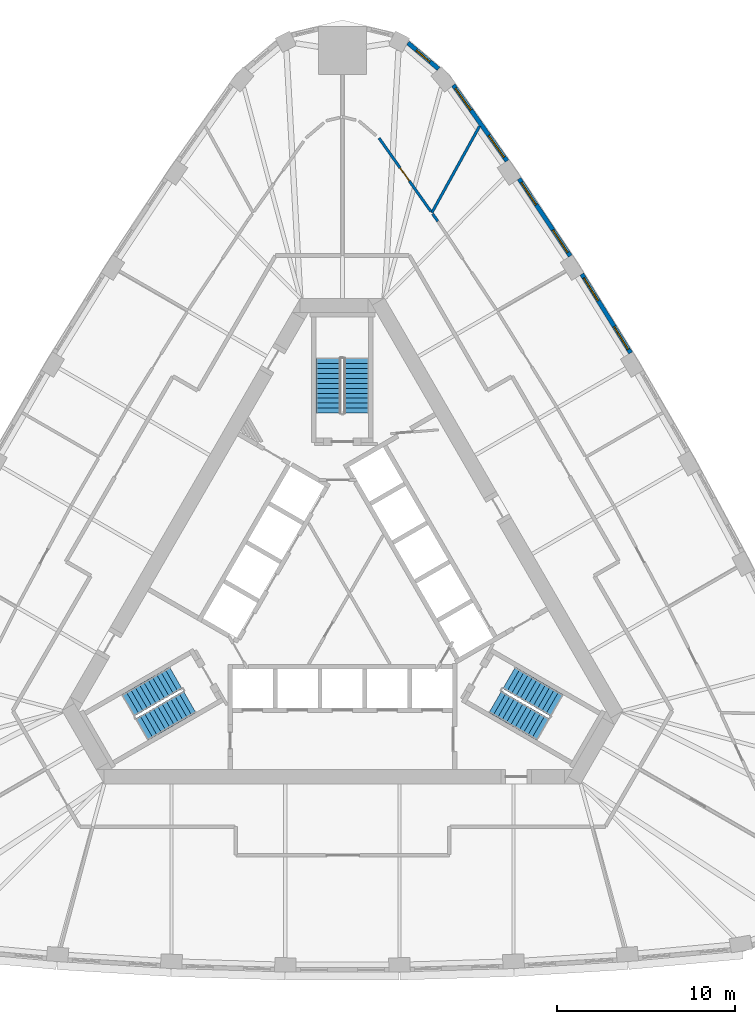
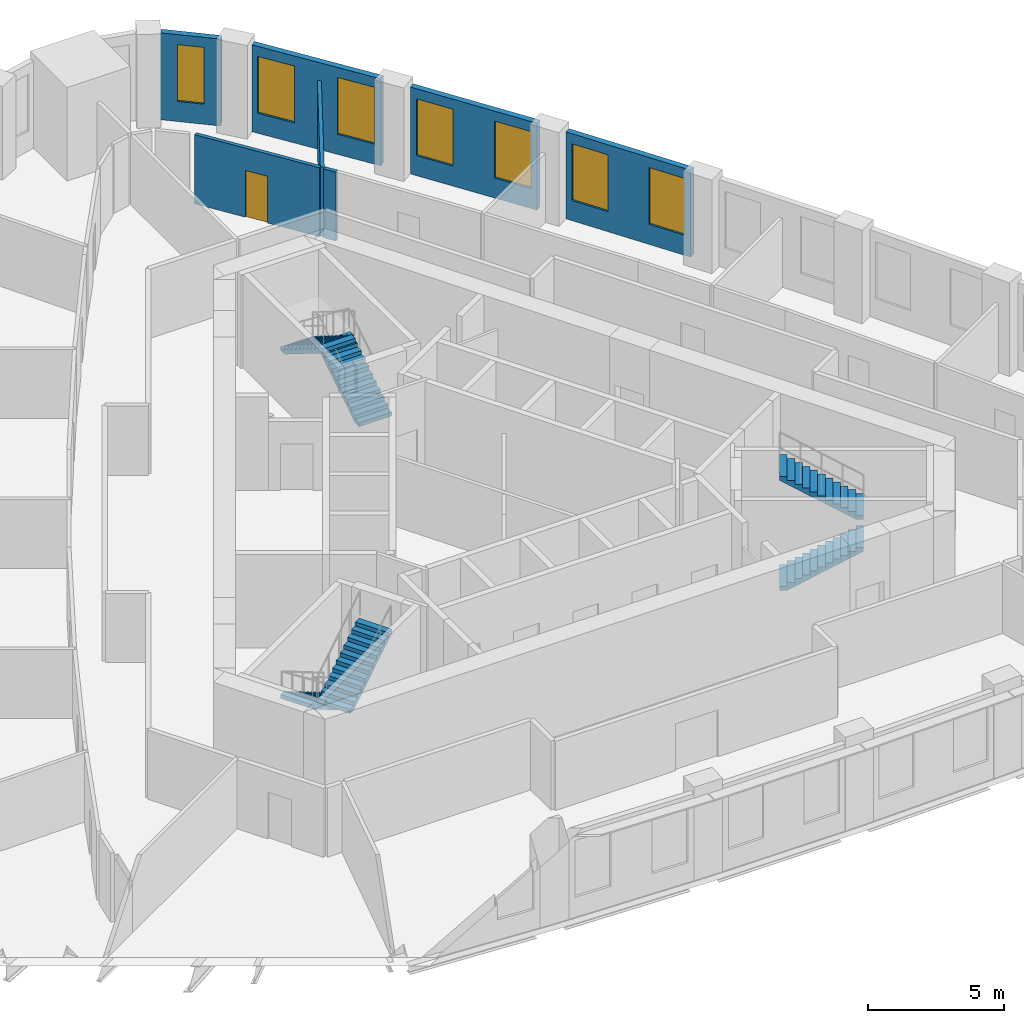
# One storey, part 9 of 10: 7 walls, 7 windows, 6 stair flights, 1 door, 8 openings, 3 elements without a shape of their own.
"""IFC4 building model written with IfcOpenShell, lengths in metres."""

from ifc_helpers import new_model, si_unit, direction, frame, frame_2d, origin, place, context, subcontext, project, spatial, polyline, rectangle, outline, extrude, material, layer, layer_set, type_object, element, fill, aggregate, save


model = new_model("IFC4")

# Units and contexts
model_context = context("Model", 3, precision=1e-05, world=origin(), true_north=direction((0.0, 1.0)))
body_context = subcontext(model_context, "Body", "Model", "MODEL_VIEW")
ifc_project = project(units=[si_unit("LENGTHUNIT", "METRE"), si_unit("AREAUNIT", "SQUARE_METRE"), si_unit("VOLUMEUNIT", "CUBIC_METRE"), si_unit("PLANEANGLEUNIT", "RADIAN"), si_unit("MASSUNIT", "GRAM", prefix="KILO")], contexts=[model_context])

# Site, building, storey
site_placement = place(None, origin())
site = spatial("IfcSite", under=ifc_project, at=site_placement, CompositionType="ELEMENT")
building_placement = place(site_placement, origin())
building = spatial("IfcBuilding", under=site, at=building_placement, Name="Mestral Congress Tower", CompositionType="ELEMENT")
storey_placement = place(building_placement, frame((0.0, 0.0, 192.0)))
storey = spatial("IfcBuildingStorey", under=building, at=storey_placement, Name="L45", CompositionType="ELEMENT", Elevation=192.0)

# Wall, openings, windows
ifc_material_1 = material(Name="Precast concrete C40/50 with limestone facing", Category="masonry")
ifc_layer_1 = layer(ifc_material_1, 0.239990234375)
ifc_layer_set_1 = layer_set([ifc_layer_1], Name="Precast concrete C40/50 with limestone facing")
wall_type_1 = type_object("IfcWallType", Name="Facade stone wall 240", PredefinedType="SOLIDWALL", material=ifc_layer_set_1)
wall_1_placement = place(storey_placement, frame((16.170654296875, 13.731201171875, 0.0), z_axis=(0.0, 0.0, 1.0), x_axis=(-0.526197926587, 0.850362124072, 0.0)))
wall_1 = element("IfcWall", 1, at=wall_1_placement, inside=storey, type_object=wall_type_1, Name="Facade wall F1-04", PredefinedType="SOLIDWALL", context=body_context, shape_type="SweptSolid", body=[
    extrude(rectangle(XDim=5.203369140625, YDim=0.239990234375, at=frame_2d((2.6015625, 0.0))), origin(), (0.0, 0.0, 1.0), 3.89990234375),
])
opening_1_placement = place(wall_1_placement, frame((0.248291015625, 0.0, 0.89990234375)))
opening_1 = element("IfcOpeningElement", 2, at=opening_1_placement, cuts=wall_1, Name="Opening W4", PredefinedType="OPENING", context=body_context, shape_type="SweptSolid", body=[
    extrude(rectangle(XDim=1.5, YDim=2.550048828125, at=frame_2d((0.75, 1.27490234375))), frame((0.0, 0.1298828125, 0.0), z_axis=(0.0, -1.0, 0.0), x_axis=(1.0, 0.0, 0.0)), (0.0, 0.0, 1.0), 0.260009765625),
])
opening_2_placement = place(wall_1_placement, frame((3.455078125, 0.0, 0.89990234375)))
opening_2 = element("IfcOpeningElement", 3, at=opening_2_placement, cuts=wall_1, Name="Opening W4", PredefinedType="OPENING", context=body_context, shape_type="SweptSolid", body=[
    extrude(rectangle(XDim=1.5, YDim=2.550048828125, at=frame_2d((0.75, 1.27490234375))), frame((0.0, 0.1298828125, 0.0), z_axis=(0.0, -1.0, 0.0), x_axis=(1.0, 0.0, 0.0)), (0.0, 0.0, 1.0), 0.260009765625),
])
ifc_material_2 = material(Name="Clear low-emissivity double glazing", Category="glass")
window_type_1 = type_object("IfcWindowType", Name="Facade punched window 1500 x 2550 sill 900", PartitioningType="SINGLE_PANEL", PredefinedType="WINDOW", material=ifc_material_2)
window_1_placement = place(opening_1_placement, origin())
window_1 = element("IfcWindow", 4, at=window_1_placement, inside=storey, type_object=window_type_1, Name="Window F1-04a", OverallHeight=2.550048828125, OverallWidth=1.5, PartitioningType="SINGLE_PANEL", PredefinedType="WINDOW", context=body_context, shape_type="SweptSolid", body=[
    extrude(rectangle(XDim=1.5, YDim=2.550048828125, at=frame_2d((0.75, 1.27490234375))), frame((0.0, 0.0400390625, 0.0), z_axis=(0.0, -1.0, 0.0), x_axis=(1.0, 0.0, 0.0)), (0.0, 0.0, 1.0), 0.06005859375),
])
fill(opening_1, window_1)
window_2_placement = place(opening_2_placement, origin())
window_2 = element("IfcWindow", 5, at=window_2_placement, inside=storey, type_object=window_type_1, Name="Window F1-04b", OverallHeight=2.550048828125, OverallWidth=1.5, PartitioningType="SINGLE_PANEL", PredefinedType="WINDOW", context=body_context, shape_type="SweptSolid", body=[
    extrude(rectangle(XDim=1.5, YDim=2.550048828125, at=frame_2d((0.75, 1.27490234375))), frame((0.0, 0.0400390625, 0.0), z_axis=(0.0, -1.0, 0.0), x_axis=(1.0, 0.0, 0.0)), (0.0, 0.0, 1.0), 0.06005859375),
])
fill(opening_2, window_2)

wall_2_placement = place(storey_placement, frame((12.783203125, 19.170654296875, 0.0), z_axis=(0.0, 0.0, 1.0), x_axis=(-0.551892811511, 0.833915058386, 0.0)))
wall_2 = element("IfcWall", 6, at=wall_2_placement, inside=storey, type_object=wall_type_1, Name="Facade wall F1-05", PredefinedType="SOLIDWALL", context=body_context, shape_type="SweptSolid", body=[
    extrude(rectangle(XDim=5.20361328125, YDim=0.239990234375, at=frame_2d((2.601806640625, 0.0))), origin(), (0.0, 0.0, 1.0), 3.89990234375),
])
opening_3_placement = place(wall_2_placement, frame((0.248291015625, 0.0, 0.89990234375)))
opening_3 = element("IfcOpeningElement", 7, at=opening_3_placement, cuts=wall_2, Name="Opening W4", PredefinedType="OPENING", context=body_context, shape_type="SweptSolid", body=[
    extrude(rectangle(XDim=1.5, YDim=2.550048828125, at=frame_2d((0.75, 1.27490234375))), frame((0.0, 0.1298828125, 0.0), z_axis=(0.0, -1.0, 0.0), x_axis=(1.0, 0.0, 0.0)), (0.0, 0.0, 1.0), 0.260009765625),
])
opening_4_placement = place(wall_2_placement, frame((3.455078125, 0.0, 0.89990234375)))
opening_4 = element("IfcOpeningElement", 8, at=opening_4_placement, cuts=wall_2, Name="Opening W4", PredefinedType="OPENING", context=body_context, shape_type="SweptSolid", body=[
    extrude(rectangle(XDim=1.5, YDim=2.550048828125, at=frame_2d((0.75, 1.27490234375))), frame((0.0, 0.1298828125, 0.0), z_axis=(0.0, -1.0, 0.0), x_axis=(1.0, 0.0, 0.0)), (0.0, 0.0, 1.0), 0.260009765625),
])
window_3_placement = place(opening_3_placement, origin())
window_3 = element("IfcWindow", 9, at=window_3_placement, inside=storey, type_object=window_type_1, Name="Window F1-05a", OverallHeight=2.550048828125, OverallWidth=1.5, PartitioningType="SINGLE_PANEL", PredefinedType="WINDOW", context=body_context, shape_type="SweptSolid", body=[
    extrude(rectangle(XDim=1.5, YDim=2.550048828125, at=frame_2d((0.75, 1.27490234375))), frame((0.0, 0.0400390625, 0.0), z_axis=(0.0, -1.0, 0.0), x_axis=(1.0, 0.0, 0.0)), (0.0, 0.0, 1.0), 0.06005859375),
])
fill(opening_3, window_3)
window_4_placement = place(opening_4_placement, origin())
window_4 = element("IfcWindow", 10, at=window_4_placement, inside=storey, type_object=window_type_1, Name="Window F1-05b", OverallHeight=2.550048828125, OverallWidth=1.5, PartitioningType="SINGLE_PANEL", PredefinedType="WINDOW", context=body_context, shape_type="SweptSolid", body=[
    extrude(rectangle(XDim=1.5, YDim=2.550048828125, at=frame_2d((0.75, 1.27490234375))), frame((0.0, 0.0400390625, 0.0), z_axis=(0.0, -1.0, 0.0), x_axis=(1.0, 0.0, 0.0)), (0.0, 0.0, 1.0), 0.06005859375),
])
fill(opening_4, window_4)

wall_3_placement = place(storey_placement, frame((9.231201171875, 24.50439453125, 0.0), z_axis=(0.0, 0.0, 1.0), x_axis=(-0.577115207679, 0.816662743772, 0.0)))
wall_3 = element("IfcWall", 11, at=wall_3_placement, inside=storey, type_object=wall_type_1, Name="Facade wall F1-06", PredefinedType="SOLIDWALL", context=body_context, shape_type="SweptSolid", body=[
    extrude(rectangle(XDim=5.213134765625, YDim=0.239990234375, at=frame_2d((2.6064453125, 0.0))), origin(), (0.0, 0.0, 1.0), 3.89990234375),
])
opening_5_placement = place(wall_3_placement, frame((0.2607421875, 0.0, 0.89990234375)))
opening_5 = element("IfcOpeningElement", 12, at=opening_5_placement, cuts=wall_3, Name="Opening W4", PredefinedType="OPENING", context=body_context, shape_type="SweptSolid", body=[
    extrude(rectangle(XDim=1.5, YDim=2.550048828125, at=frame_2d((0.75, 1.27490234375))), frame((0.0, 0.1298828125, 0.0), z_axis=(0.0, -1.0, 0.0), x_axis=(1.0, 0.0, 0.0)), (0.0, 0.0, 1.0), 0.260009765625),
])
opening_6_placement = place(wall_3_placement, frame((3.492431640625, 0.0, 0.89990234375)))
opening_6 = element("IfcOpeningElement", 13, at=opening_6_placement, cuts=wall_3, Name="Opening W4", PredefinedType="OPENING", context=body_context, shape_type="SweptSolid", body=[
    extrude(rectangle(XDim=1.5, YDim=2.550048828125, at=frame_2d((0.75, 1.27490234375))), frame((0.0, 0.1298828125, 0.0), z_axis=(0.0, -1.0, 0.0), x_axis=(1.0, 0.0, 0.0)), (0.0, 0.0, 1.0), 0.260009765625),
])
window_5_placement = place(opening_5_placement, origin())
window_5 = element("IfcWindow", 14, at=window_5_placement, inside=storey, type_object=window_type_1, Name="Window F1-06a", OverallHeight=2.550048828125, OverallWidth=1.5, PartitioningType="SINGLE_PANEL", PredefinedType="WINDOW", context=body_context, shape_type="SweptSolid", body=[
    extrude(rectangle(XDim=1.5, YDim=2.550048828125, at=frame_2d((0.75, 1.27490234375))), frame((0.0, 0.0400390625, 0.0), z_axis=(0.0, -1.0, 0.0), x_axis=(1.0, 0.0, 0.0)), (0.0, 0.0, 1.0), 0.06005859375),
])
fill(opening_5, window_5)
window_6_placement = place(opening_6_placement, origin())
window_6 = element("IfcWindow", 15, at=window_6_placement, inside=storey, type_object=window_type_1, Name="Window F1-06b", OverallHeight=2.550048828125, OverallWidth=1.5, PartitioningType="SINGLE_PANEL", PredefinedType="WINDOW", context=body_context, shape_type="SweptSolid", body=[
    extrude(rectangle(XDim=1.5, YDim=2.550048828125, at=frame_2d((0.75, 1.27490234375))), frame((0.0, 0.0400390625, 0.0), z_axis=(0.0, -1.0, 0.0), x_axis=(1.0, 0.0, 0.0)), (0.0, 0.0, 1.0), 0.06005859375),
])
fill(opening_6, window_6)

# Wall, opening, window
wall_4_placement = place(storey_placement, frame((5.3916015625, 29.672119140625, 0.0), z_axis=(0.0, 0.0, 1.0), x_axis=(-0.761419744247, 0.648259186645, 0.0)))
wall_4 = element("IfcWall", 16, at=wall_4_placement, inside=storey, type_object=wall_type_1, Name="Facade wall K1-0", PredefinedType="SOLIDWALL", context=body_context, shape_type="SweptSolid", body=[
    extrude(rectangle(XDim=2.250244140625, YDim=0.239990234375, at=frame_2d((1.125, 0.0))), origin(), (0.0, 0.0, 1.0), 3.89990234375),
])
opening_7_placement = place(wall_4_placement, frame((0.625244140625, 0.0, 0.89990234375)))
opening_7 = element("IfcOpeningElement", 17, at=opening_7_placement, cuts=wall_4, Name="Opening W5", PredefinedType="OPENING", context=body_context, shape_type="SweptSolid", body=[
    extrude(rectangle(XDim=1.0, YDim=2.550048828125, at=frame_2d((0.5, 1.27490234375))), frame((0.0, 0.1298828125, 0.0), z_axis=(0.0, -1.0, 0.0), x_axis=(1.0, 0.0, 0.0)), (0.0, 0.0, 1.0), 0.260009765625),
])
window_type_2 = type_object("IfcWindowType", Name="Facade punched window 1000 x 2550 sill 900", PartitioningType="SINGLE_PANEL", PredefinedType="WINDOW", material=ifc_material_2)
window_7_placement = place(opening_7_placement, origin())
window_7 = element("IfcWindow", 18, at=window_7_placement, inside=storey, type_object=window_type_2, Name="Window K1-0", OverallHeight=2.550048828125, OverallWidth=1.0, PartitioningType="SINGLE_PANEL", PredefinedType="WINDOW", context=body_context, shape_type="SweptSolid", body=[
    extrude(rectangle(XDim=1.0, YDim=2.550048828125, at=frame_2d((0.5, 1.27490234375))), frame((0.0, 0.0400390625, 0.0), z_axis=(0.0, -1.0, 0.0), x_axis=(1.0, 0.0, 0.0)), (0.0, 0.0, 1.0), 0.06005859375),
])
fill(opening_7, window_7)

# Walls
ifc_material_3 = material(Name="Plasterboard partition on steel studs", Category="steel")
ifc_layer_2 = layer(ifc_material_3, 0.14990234375)
ifc_layer_set_2 = layer_set([ifc_layer_2], Name="Plasterboard partition on steel studs")
wall_type_2 = type_object("IfcWallType", Name="Office partition 150", PredefinedType="PARTITIONING", material=ifc_layer_set_2)
wall_5_placement = place(storey_placement, frame((5.014404296875, 21.599365234375, 0.0), z_axis=(0.0, 0.0, 1.0), x_axis=(0.483014624036, 0.875612284614, 0.0)))
element("IfcWall", 19, at=wall_5_placement, inside=storey, type_object=wall_type_2, Name="Partition", PredefinedType="PARTITIONING", context=body_context, shape_type="SweptSolid", body=[
    extrude(rectangle(XDim=5.556884765625, YDim=0.14990234375, at=frame_2d((2.7783203125, 0.0))), origin(), (0.0, 0.0, 1.0), 3.10009765625),
])
wall_6_placement = place(storey_placement, frame((5.352294921875, 21.121337890625, 0.0), z_axis=(0.0, 0.0, 1.0), x_axis=(-0.57727495493, 0.816549830941, 0.0)))
element("IfcWall", 20, at=wall_6_placement, inside=storey, type_object=wall_type_2, Name="Partition", PredefinedType="PARTITIONING", context=body_context, shape_type="SweptSolid", body=[
    extrude(rectangle(XDim=0.501953125, YDim=0.14990234375, at=frame_2d((0.2509765625, 0.0))), origin(), (0.0, 0.0, 1.0), 3.10009765625),
])

# Wall, opening, door
wall_7_placement = place(storey_placement, frame((2.05322265625, 25.7900390625, 0.0), z_axis=(0.0, 0.0, 1.0), x_axis=(0.5770856814, -0.816683608458, 0.0)))
wall_7 = element("IfcWall", 21, at=wall_7_placement, inside=storey, type_object=wall_type_2, Name="Partition", PredefinedType="PARTITIONING", context=body_context, shape_type="SweptSolid", body=[
    extrude(rectangle(XDim=5.0478515625, YDim=0.14990234375, at=frame_2d((2.52392578125, 0.0))), origin(), (0.0, 0.0, 1.0), 3.10009765625),
])
opening_8_placement = place(wall_7_placement, frame((2.048095703125, 0.0, 0.0)))
opening_8 = element("IfcOpeningElement", 22, at=opening_8_placement, cuts=wall_7, Name="Opening O05-009", PredefinedType="OPENING", context=body_context, shape_type="SweptSolid", body=[
    extrude(rectangle(XDim=0.89990234375, YDim=2.10009765625, at=frame_2d((0.449951171875, 1.050048828125))), frame((0.0, 0.0849609375, 0.0), z_axis=(0.0, -1.0, 0.0), x_axis=(1.0, 0.0, 0.0)), (0.0, 0.0, 1.0), 0.169921875),
])
ifc_material_4 = material(Name="Timber door set", Category="wood")
door_type = type_object("IfcDoorType", Name="Office door 900x2100", OperationType="SINGLE_SWING_LEFT", PredefinedType="DOOR", material=ifc_material_4)
door_placement = place(opening_8_placement, origin())
door = element("IfcDoor", 23, at=door_placement, inside=storey, type_object=door_type, Name="Door O05-009", OperationType="SINGLE_SWING_LEFT", OverallHeight=2.10009765625, OverallWidth=0.89990234375, PredefinedType="DOOR", context=body_context, shape_type="SweptSolid", body=[
    extrude(rectangle(XDim=0.89990234375, YDim=2.10009765625, at=frame_2d((0.449951171875, 1.050048828125))), frame((0.0, 0.02490234375, 0.0), z_axis=(0.0, -1.0, 0.0), x_axis=(1.0, 0.0, 0.0)), (0.0, 0.0, 1.0), 0.050048828125),
])
fill(opening_8, door)

# Stair, stair flights
ifc_material_5 = material(Name="Concrete C60/75", Category="concrete")
stair_type = type_object("IfcStairType", Name="Exit stair 1400", PredefinedType="HALF_TURN_STAIR", material=ifc_material_5)
placement = place(storey_placement, origin())
stair_1 = element("IfcStair", 24, at=placement, inside=storey, type_object=stair_type, Name="L45 ST1", PredefinedType="HALF_TURN_STAIR")
stair_flight_type = type_object("IfcStairFlightType", Name="Exit stair flight 1400", PredefinedType="STRAIGHT", material=ifc_material_5)
stair_flight_1_placement = place(storey_placement, frame((8.575927734375, -5.84619140625, 0.0), z_axis=(0.0, 0.0, 1.0), x_axis=(0.866025403784, -0.5, 0.0)))
stair_flight_1 = element("IfcStairFlight", 25, at=stair_flight_1_placement, type_object=stair_flight_type, Name="ST1 flight 1", NumberOfRisers=12, NumberOfTreads=11, PredefinedType="STRAIGHT", RiserHeight=0.175, TreadLength=0.28, context=body_context, shape_type="SweptSolid", body=[
    extrude(outline(polyline([(0.0, 0.0), (0.0, 0.175048828125), (0.280029296875, 0.175048828125), (0.280029296875, 0.35009765625), (0.56005859375, 0.35009765625), (0.56005859375, 0.52490234375), (0.840087890625, 0.52490234375), (0.840087890625, 0.699951171875), (1.1201171875, 0.699951171875), (1.1201171875, 0.875), (1.39990234375, 0.875), (1.39990234375, 1.050048828125), (1.679931640625, 1.050048828125), (1.679931640625, 1.22509765625), (1.9599609375, 1.22509765625), (1.9599609375, 1.39990234375), (2.239990234375, 1.39990234375), (2.239990234375, 1.574951171875), (2.52001953125, 1.574951171875), (2.52001953125, 1.75), (2.800048828125, 1.75), (2.800048828125, 1.925048828125), (3.080078125, 1.925048828125), (3.080078125, 2.10009765625), (3.080078125, 1.748291015625), (0.28271484375, 0.0), (0.0, 0.0)])), frame((0.0, 0.699951171875, 0.0), z_axis=(0.0, -1.0, 0.0), x_axis=(1.0, 0.0, 0.0)), (0.0, 0.0, 1.0), 1.39990234375),
])
stair_flight_2_placement = place(storey_placement, frame((12.018310546875, -6.0439453125, 2.10009765625), z_axis=(0.0, 0.0, 1.0), x_axis=(-0.866025403784, 0.5, 0.0)))
stair_flight_2 = element("IfcStairFlight", 26, at=stair_flight_2_placement, type_object=stair_flight_type, Name="ST1 flight 2", NumberOfRisers=12, NumberOfTreads=11, PredefinedType="STRAIGHT", RiserHeight=0.175, TreadLength=0.28, context=body_context, shape_type="SweptSolid", body=[
    extrude(outline(polyline([(0.0, 0.0), (0.0, 0.175048828125), (0.280029296875, 0.175048828125), (0.280029296875, 0.35009765625), (0.56005859375, 0.35009765625), (0.56005859375, 0.52490234375), (0.840087890625, 0.52490234375), (0.840087890625, 0.699951171875), (1.1201171875, 0.699951171875), (1.1201171875, 0.875), (1.39990234375, 0.875), (1.39990234375, 1.050048828125), (1.679931640625, 1.050048828125), (1.679931640625, 1.22509765625), (1.9599609375, 1.22509765625), (1.9599609375, 1.39990234375), (2.239990234375, 1.39990234375), (2.239990234375, 1.574951171875), (2.52001953125, 1.574951171875), (2.52001953125, 1.75), (2.800048828125, 1.75), (2.800048828125, 1.925048828125), (3.080078125, 1.925048828125), (3.080078125, 2.10009765625), (3.080078125, 1.748291015625), (0.28271484375, 0.0), (0.0, 0.0)])), frame((0.0, 0.699951171875, 0.0), z_axis=(0.0, -1.0, 0.0), x_axis=(1.0, 0.0, 0.0)), (0.0, 0.0, 1.0), 1.39990234375),
])
aggregate(stair_1, [stair_flight_1, stair_flight_2])

stair_2 = element("IfcStair", 27, at=placement, inside=storey, type_object=stair_type, Name="L45 ST2", PredefinedType="HALF_TURN_STAIR")
stair_flight_3_placement = place(storey_placement, frame((0.77490234375, 10.35009765625, 0.0), z_axis=(0.0, 0.0, 1.0), x_axis=(0.0, 1.0, 0.0)))
stair_flight_3 = element("IfcStairFlight", 28, at=stair_flight_3_placement, type_object=stair_flight_type, Name="ST2 flight 1", NumberOfRisers=12, NumberOfTreads=11, PredefinedType="STRAIGHT", RiserHeight=0.175, TreadLength=0.28, context=body_context, shape_type="SweptSolid", body=[
    extrude(outline(polyline([(0.0, 0.0), (0.0, 0.175048828125), (0.280029296875, 0.175048828125), (0.280029296875, 0.35009765625), (0.56005859375, 0.35009765625), (0.56005859375, 0.52490234375), (0.840087890625, 0.52490234375), (0.840087890625, 0.699951171875), (1.1201171875, 0.699951171875), (1.1201171875, 0.875), (1.39990234375, 0.875), (1.39990234375, 1.050048828125), (1.679931640625, 1.050048828125), (1.679931640625, 1.22509765625), (1.9599609375, 1.22509765625), (1.9599609375, 1.39990234375), (2.239990234375, 1.39990234375), (2.239990234375, 1.574951171875), (2.52001953125, 1.574951171875), (2.52001953125, 1.75), (2.800048828125, 1.75), (2.800048828125, 1.925048828125), (3.080078125, 1.925048828125), (3.080078125, 2.10009765625), (3.080078125, 1.748291015625), (0.28271484375, 0.0), (0.0, 0.0)])), frame((0.0, 0.699951171875, 0.0), z_axis=(0.0, -1.0, 0.0), x_axis=(1.0, 0.0, 0.0)), (0.0, 0.0, 1.0), 1.39990234375),
])
stair_flight_4_placement = place(storey_placement, frame((-0.77490234375, 13.429931640625, 2.10009765625), z_axis=(0.0, 0.0, 1.0), x_axis=(0.0, -1.0, 0.0)))
stair_flight_4 = element("IfcStairFlight", 29, at=stair_flight_4_placement, type_object=stair_flight_type, Name="ST2 flight 2", NumberOfRisers=12, NumberOfTreads=11, PredefinedType="STRAIGHT", RiserHeight=0.175, TreadLength=0.28, context=body_context, shape_type="SweptSolid", body=[
    extrude(outline(polyline([(0.0, 0.0), (0.0, 0.175048828125), (0.280029296875, 0.175048828125), (0.280029296875, 0.35009765625), (0.56005859375, 0.35009765625), (0.56005859375, 0.52490234375), (0.840087890625, 0.52490234375), (0.840087890625, 0.699951171875), (1.1201171875, 0.699951171875), (1.1201171875, 0.875), (1.39990234375, 0.875), (1.39990234375, 1.050048828125), (1.679931640625, 1.050048828125), (1.679931640625, 1.22509765625), (1.9599609375, 1.22509765625), (1.9599609375, 1.39990234375), (2.239990234375, 1.39990234375), (2.239990234375, 1.574951171875), (2.52001953125, 1.574951171875), (2.52001953125, 1.75), (2.800048828125, 1.75), (2.800048828125, 1.925048828125), (3.080078125, 1.925048828125), (3.080078125, 2.10009765625), (3.080078125, 1.748291015625), (0.28271484375, 0.0), (0.0, 0.0)])), frame((0.0, 0.699951171875, 0.0), z_axis=(0.0, -1.0, 0.0), x_axis=(1.0, 0.0, 0.0)), (0.0, 0.0, 1.0), 1.39990234375),
])
aggregate(stair_2, [stair_flight_3, stair_flight_4])

stair_3 = element("IfcStair", 30, at=placement, inside=storey, type_object=stair_type, Name="L45 ST3", PredefinedType="HALF_TURN_STAIR")
stair_flight_5_placement = place(storey_placement, frame((-9.350830078125, -4.50390625, 0.0), z_axis=(0.0, 0.0, 1.0), x_axis=(-0.866025403784, -0.5, 0.0)))
stair_flight_5 = element("IfcStairFlight", 31, at=stair_flight_5_placement, type_object=stair_flight_type, Name="ST3 flight 1", NumberOfRisers=12, NumberOfTreads=11, PredefinedType="STRAIGHT", RiserHeight=0.175, TreadLength=0.28, context=body_context, shape_type="SweptSolid", body=[
    extrude(outline(polyline([(0.0, 0.0), (0.0, 0.175048828125), (0.280029296875, 0.175048828125), (0.280029296875, 0.35009765625), (0.56005859375, 0.35009765625), (0.56005859375, 0.52490234375), (0.840087890625, 0.52490234375), (0.840087890625, 0.699951171875), (1.1201171875, 0.699951171875), (1.1201171875, 0.875), (1.39990234375, 0.875), (1.39990234375, 1.050048828125), (1.679931640625, 1.050048828125), (1.679931640625, 1.22509765625), (1.9599609375, 1.22509765625), (1.9599609375, 1.39990234375), (2.239990234375, 1.39990234375), (2.239990234375, 1.574951171875), (2.52001953125, 1.574951171875), (2.52001953125, 1.75), (2.800048828125, 1.75), (2.800048828125, 1.925048828125), (3.080078125, 1.925048828125), (3.080078125, 2.10009765625), (3.080078125, 1.748291015625), (0.28271484375, 0.0), (0.0, 0.0)])), frame((0.0, 0.699951171875, 0.0), z_axis=(0.0, -1.0, 0.0), x_axis=(1.0, 0.0, 0.0)), (0.0, 0.0, 1.0), 1.39990234375),
])
stair_flight_6_placement = place(storey_placement, frame((-11.2431640625, -7.38623046875, 2.10009765625), z_axis=(0.0, 0.0, 1.0), x_axis=(0.866025403784, 0.5, 0.0)))
stair_flight_6 = element("IfcStairFlight", 32, at=stair_flight_6_placement, type_object=stair_flight_type, Name="ST3 flight 2", NumberOfRisers=12, NumberOfTreads=11, PredefinedType="STRAIGHT", RiserHeight=0.175, TreadLength=0.28, context=body_context, shape_type="SweptSolid", body=[
    extrude(outline(polyline([(0.0, 0.0), (0.0, 0.175048828125), (0.280029296875, 0.175048828125), (0.280029296875, 0.35009765625), (0.56005859375, 0.35009765625), (0.56005859375, 0.52490234375), (0.840087890625, 0.52490234375), (0.840087890625, 0.699951171875), (1.1201171875, 0.699951171875), (1.1201171875, 0.875), (1.39990234375, 0.875), (1.39990234375, 1.050048828125), (1.679931640625, 1.050048828125), (1.679931640625, 1.22509765625), (1.9599609375, 1.22509765625), (1.9599609375, 1.39990234375), (2.239990234375, 1.39990234375), (2.239990234375, 1.574951171875), (2.52001953125, 1.574951171875), (2.52001953125, 1.75), (2.800048828125, 1.75), (2.800048828125, 1.925048828125), (3.080078125, 1.925048828125), (3.080078125, 2.10009765625), (3.080078125, 1.748291015625), (0.28271484375, 0.0), (0.0, 0.0)])), frame((0.0, 0.699951171875, 0.0), z_axis=(0.0, -1.0, 0.0), x_axis=(1.0, 0.0, 0.0)), (0.0, 0.0, 1.0), 1.39990234375),
])
aggregate(stair_3, [stair_flight_5, stair_flight_6])

save(model, "model.ifc")
